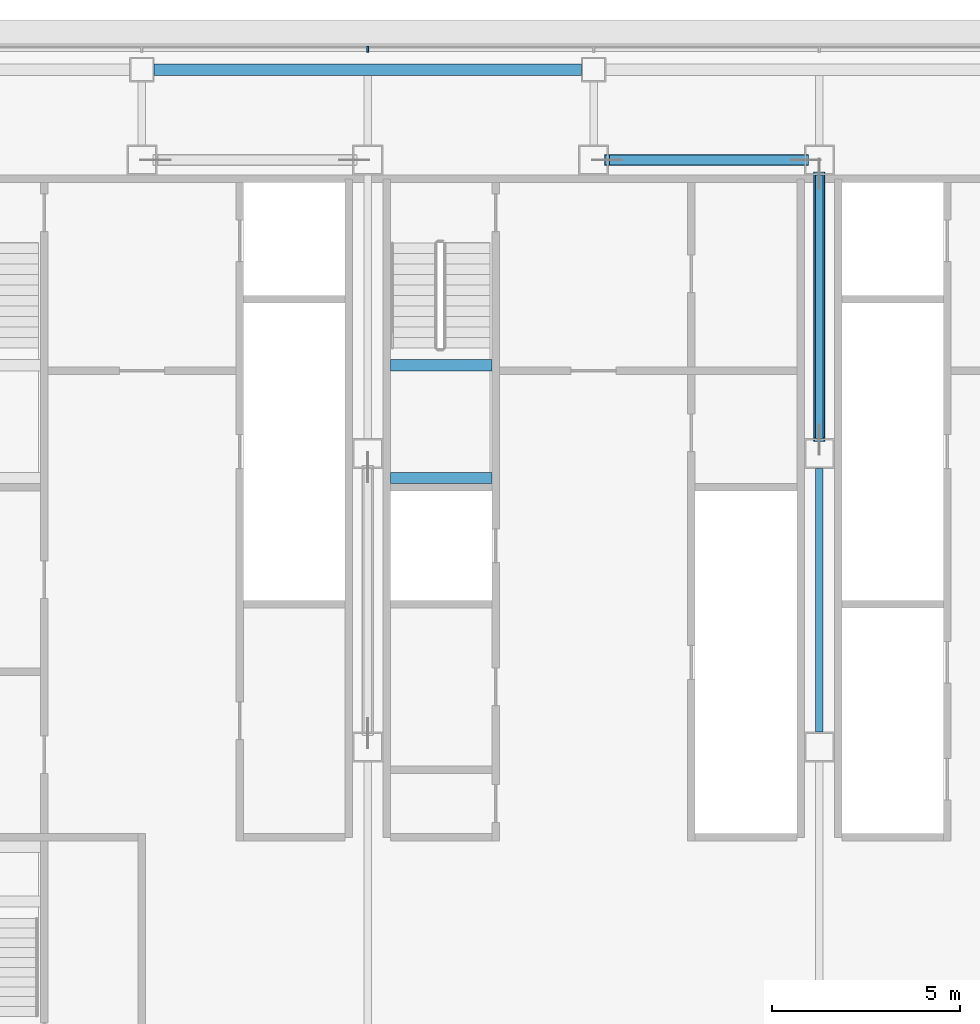
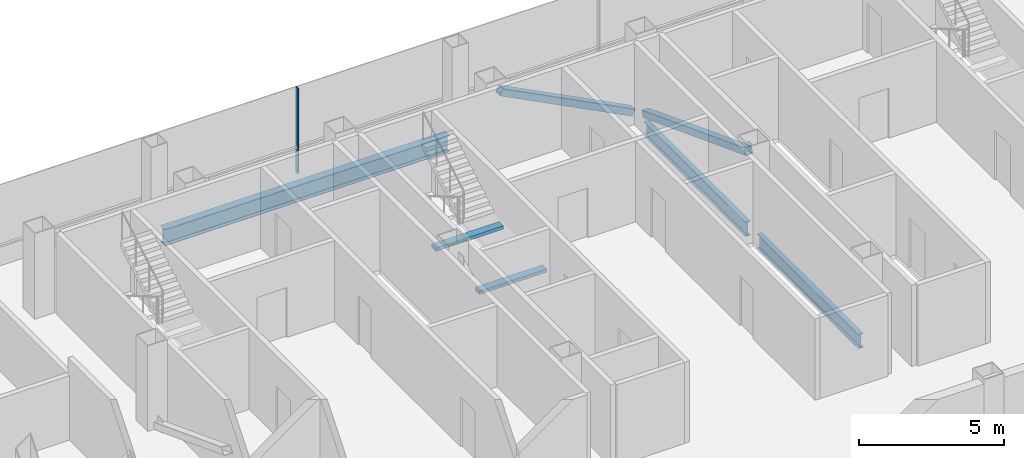
# One storey, part 13 of 26: 5 beams, 3 members, 1 element without a shape of its own.
"""IFC4 building model written with IfcOpenShell, lengths in metres."""

from ifc_helpers import new_model, si_unit, direction, frame, origin, origin_2d, place, context, subcontext, project, spatial, rectangle, hollow_rectangle, i_section, extrude, material, material_profile, profile_set, type_object, element, aggregate, save


model = new_model("IFC4")

# Units and contexts
model_context = context("Model", 3, precision=1e-05, world=origin(), true_north=direction((0.0, 1.0)))
body_context = subcontext(model_context, "Body", "Model", "MODEL_VIEW")
ifc_project = project(units=[si_unit("LENGTHUNIT", "METRE"), si_unit("AREAUNIT", "SQUARE_METRE"), si_unit("VOLUMEUNIT", "CUBIC_METRE"), si_unit("PLANEANGLEUNIT", "RADIAN"), si_unit("MASSUNIT", "GRAM", prefix="KILO")], contexts=[model_context])

# Site, building, storey
site_placement = place(None, origin())
site = spatial("IfcSite", under=ifc_project, at=site_placement, CompositionType="ELEMENT")
building_placement = place(site_placement, origin())
building = spatial("IfcBuilding", under=site, at=building_placement, Name="Sorahane Residences", CompositionType="ELEMENT")
storey_placement = place(building_placement, frame((0.0, 0.0, 219.0)))
storey = spatial("IfcBuildingStorey", under=building, at=storey_placement, Name="L51", CompositionType="ELEMENT", Elevation=219.0)

# Members
ifc_material_1 = material(Name="Steel Q355B", Category="steel")
ifc_material_profile_1 = material_profile(ifc_material_1, hollow_rectangle(XDim=0.300048828125, YDim=0.300048828125, WallThickness=0.01611328125, InnerFilletRadius=0.008056640625, OuterFilletRadius=0.02392578125, at=origin_2d()), Name="RHS 300x300x16")
ifc_profile_set_1 = profile_set([ifc_material_profile_1], Name="Steel Q355B")
member_type_1 = type_object("IfcMemberType", Name="Core brace RHS 300x300x16 Q355B", PredefinedType="BRACE", material=ifc_profile_set_1)
member_1_placement = place(storey_placement, frame((29.64111328125, 45.60009765625, 0.12890625), z_axis=(-0.889590046837, 0.0, 0.45675983686), x_axis=(0.0, -1.0, 0.0)))
element("IfcMember", 1, at=member_1_placement, inside=storey, type_object=member_type_1, Name="Core brace L51 y45.6-4", PredefinedType="BRACE", context=body_context, shape_type="SweptSolid", body=[
    extrude(hollow_rectangle(XDim=0.300048828125, YDim=0.300048828125, WallThickness=0.01611328125, InnerFilletRadius=0.008056640625, OuterFilletRadius=0.02392578125, at=origin_2d()), origin(), (0.0, 0.0, 1.0), 5.937744140625),
])
member_2_placement = place(storey_placement, frame((30.0, 45.232177734375, 0.1376953125), z_axis=(0.0, -0.934335722983, 0.356394103147), x_axis=(1.0, 0.0, 0.0)))
element("IfcMember", 2, at=member_2_placement, inside=storey, type_object=member_type_1, Name="Core brace L51 x30-2", PredefinedType="BRACE", context=body_context, shape_type="SweptSolid", body=[
    extrude(hollow_rectangle(XDim=0.300048828125, YDim=0.300048828125, WallThickness=0.01611328125, InnerFilletRadius=0.008056640625, OuterFilletRadius=0.02392578125, at=origin_2d()), origin(), (0.0, 0.0, 1.0), 7.560791015625),
])

# Curtain wall, member
ifc_material_2 = material(Name="Dark low-e glass and black anodised aluminium", Category="aluminium")
curtain_wall_type = type_object("IfcCurtainWallType", Name="Curtain wall CW-1 Typical unitised wall", PredefinedType="NOTDEFINED", material=ifc_material_2)
curtain_wall_placement = place(storey_placement, origin())
curtain_wall = element("IfcCurtainWall", 3, at=curtain_wall_placement, inside=storey, type_object=curtain_wall_type, Name="CW-1 curtain wall L51 N1", PredefinedType="NOTDEFINED")
ifc_material_3 = material(Name="Black anodised aluminium", Category="aluminium")
ifc_material_profile_2 = material_profile(ifc_material_3, rectangle(XDim=0.159912109375, YDim=0.050048828125, at=origin_2d()), Name="Curtain wall mullion CW-1 black anodised aluminium 50x160")
ifc_profile_set_2 = profile_set([ifc_material_profile_2], Name="Black anodised aluminium")
member_type_2 = type_object("IfcMemberType", Name="Curtain wall mullion CW-1 black anodised aluminium 50x160", PredefinedType="MULLION", material=ifc_profile_set_2)
member_3_placement = place(storey_placement, frame((18.0, 48.5400390625, -0.179931640625), z_axis=(0.0, 0.0, 1.0), x_axis=(0.0, 1.0, 0.0)))
member_3 = element("IfcMember", 4, at=member_3_placement, type_object=member_type_2, Name="CW-1 mullion L51 N1.6", PredefinedType="MULLION", context=body_context, shape_type="SweptSolid", body=[
    extrude(rectangle(XDim=0.159912109375, YDim=0.050048828125, at=origin_2d()), origin(), (0.0, 0.0, 1.0), 3.599853515625),
])
aggregate(curtain_wall, [member_3])

# Beams
ifc_material_4 = material(Name="Concrete C40", Category="concrete")
ifc_material_profile_3 = material_profile(ifc_material_4, rectangle(XDim=0.300048828125, YDim=0.139892578125, at=origin_2d()), Name="300x140")
ifc_profile_set_3 = profile_set([ifc_material_profile_3], Name="Concrete C40")
beam_type_1 = type_object("IfcBeamType", Name="RC landing beam 300 x 140 Concrete C40", PredefinedType="BEAM", material=ifc_profile_set_3)
for number, where, z_axis, x_axis, name in (
    (5, (18.60009765625, 37.14990234375, 1.530029296875), (1.0, 0.0, 0.0), (0.0, 1.0, 0.0), "Landing beam"),
    (6, (18.60009765625, 40.14990234375, 1.530029296875), (1.0, 0.0, 0.0), (0.0, 1.0, 0.0), "Landing beam"),
):
    element("IfcBeam", number, at=place(storey_placement, frame(where, z_axis=z_axis, x_axis=x_axis)), inside=storey, type_object=beam_type_1, Name=name, PredefinedType="BEAM", context=body_context, shape_type="SweptSolid", body=[
        extrude(rectangle(XDim=0.300048828125, YDim=0.139892578125, at=origin_2d()), origin(), (0.0, 0.0, 1.0), 2.699951171875),
    ])
ifc_material_5 = material(Name="Steel Q355B", Category="steel")
ifc_material_profile_4 = material_profile(ifc_material_5, i_section(OverallWidth=0.199951171875, OverallDepth=0.60009765625, WebThickness=0.010986328125, FlangeThickness=0.01708984375, FilletRadius=0.02392578125, at=origin_2d()), Name="HN 600x200x11x17")
ifc_profile_set_4 = profile_set([ifc_material_profile_4], Name="Steel Q355B")
beam_type_2 = type_object("IfcBeamType", Name="Steel floor beam HN 600x200x11x17 Q355B", PredefinedType="BEAM", material=ifc_profile_set_4)
for number, where, z_axis, x_axis, name in (
    (7, (30.0, 30.39990234375, -0.47998046875), (0.0, 1.0, 0.0), (-1.0, 0.0, 0.0), "Beam L51 047"),
    (8, (30.0, 38.199951171875, -0.47998046875), (0.0, 1.0, 0.0), (-1.0, 0.0, 0.0), "Beam L51 048"),
):
    element("IfcBeam", number, at=place(storey_placement, frame(where, z_axis=z_axis, x_axis=x_axis)), inside=storey, type_object=beam_type_2, Name=name, PredefinedType="BEAM", context=body_context, shape_type="SweptSolid", body=[
        extrude(i_section(OverallWidth=0.199951171875, OverallDepth=0.60009765625, WebThickness=0.010986328125, FlangeThickness=0.01708984375, FilletRadius=0.02392578125, at=origin_2d()), origin(), (0.0, 0.0, 1.0), 7.0),
    ])
ifc_material_6 = material(Name="Steel Q355B", Category="steel")
ifc_material_profile_5 = material_profile(ifc_material_6, i_section(OverallWidth=0.300048828125, OverallDepth=0.699951171875, WebThickness=0.012939453125, FlangeThickness=0.02392578125, FilletRadius=0.028076171875, at=origin_2d()), Name="HN 700x300x13x24")
ifc_profile_set_5 = profile_set([ifc_material_profile_5], Name="Steel Q355B")
beam_type_3 = type_object("IfcBeamType", Name="Steel floor beam HN 700x300x13x24 Q355B", PredefinedType="BEAM", material=ifc_profile_set_5)
beam_placement = place(storey_placement, frame((12.324951171875, 48.0, -0.530029296875), z_axis=(1.0, 0.0, 0.0), x_axis=(0.0, 1.0, 0.0)))
element("IfcBeam", 9, at=beam_placement, inside=storey, type_object=beam_type_3, Name="Beam L51 017", PredefinedType="BEAM", context=body_context, shape_type="SweptSolid", body=[
    extrude(i_section(OverallWidth=0.300048828125, OverallDepth=0.699951171875, WebThickness=0.012939453125, FlangeThickness=0.02392578125, FilletRadius=0.028076171875, at=origin_2d()), origin(), (0.0, 0.0, 1.0), 11.35009765625),
])

save(model, "model.ifc")
